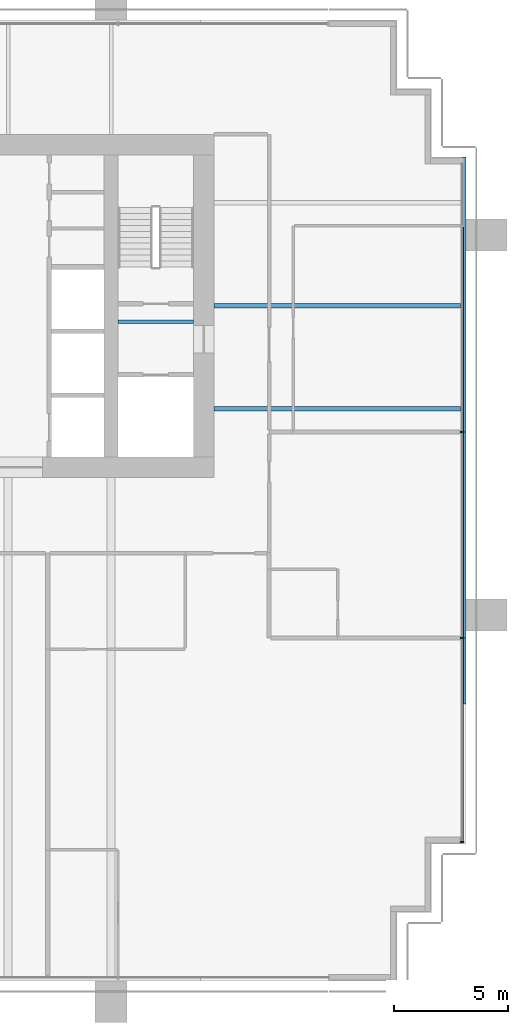
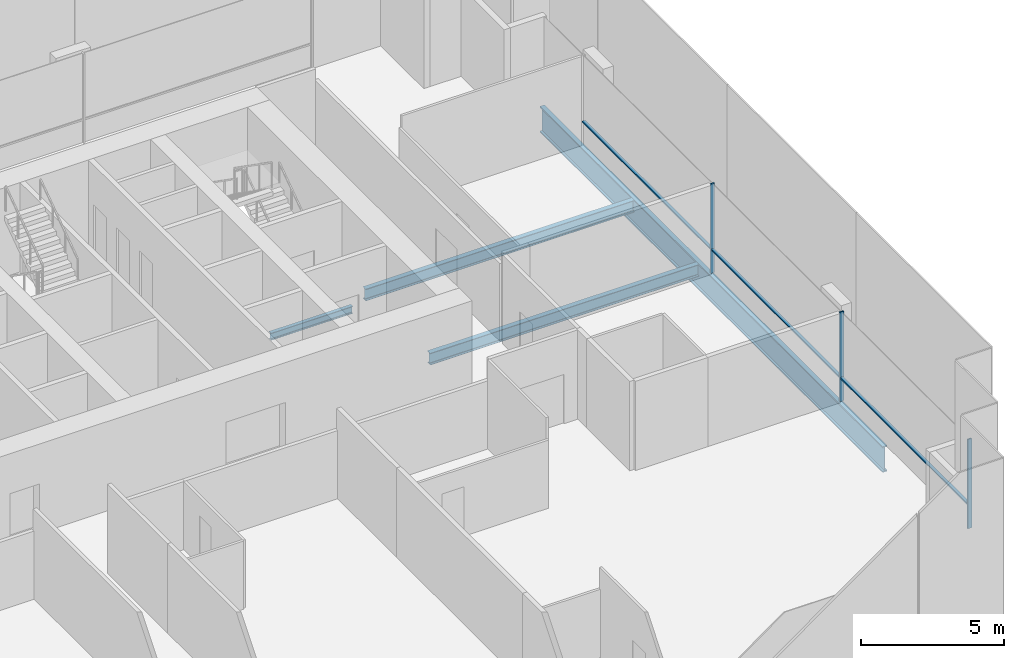
# One storey, part 6 of 16: 6 members, 4 beams, 1 element without a shape of its own.
"""IFC4 building model written with IfcOpenShell, lengths in metres."""

from ifc_helpers import new_model, si_unit, direction, frame, origin, origin_2d, place, context, subcontext, project, spatial, rectangle, i_section, extrude, material, material_profile, profile_set, type_object, element, aggregate, save


model = new_model("IFC4")

# Units and contexts
model_context = context("Model", 3, precision=1e-05, world=origin(), true_north=direction((0.0, 1.0)))
body_context = subcontext(model_context, "Body", "Model", "MODEL_VIEW")
ifc_project = project(units=[si_unit("LENGTHUNIT", "METRE"), si_unit("AREAUNIT", "SQUARE_METRE"), si_unit("VOLUMEUNIT", "CUBIC_METRE"), si_unit("PLANEANGLEUNIT", "RADIAN"), si_unit("MASSUNIT", "GRAM", prefix="KILO")], contexts=[model_context])

# Site, building, storey
site_placement = place(None, origin())
site = spatial("IfcSite", under=ifc_project, at=site_placement, CompositionType="ELEMENT")
building_placement = place(site_placement, origin())
building = spatial("IfcBuilding", under=site, at=building_placement, Name="Rattan Terrace Tower", CompositionType="ELEMENT")
storey_placement = place(building_placement, frame((0.0, 0.0, 150.10009765625)))
storey = spatial("IfcBuildingStorey", under=building, at=storey_placement, Name="L34", CompositionType="ELEMENT", Elevation=150.10009765625)

# Curtain wall, members
ifc_material_1 = material(Name="Aluminium and glass", Category="aluminium")
curtain_wall_type = type_object("IfcCurtainWallType", Name="Facade Unitised Curtain Wall", PredefinedType="NOTDEFINED", material=ifc_material_1)
curtain_wall_placement = place(storey_placement, origin())
curtain_wall = element("IfcCurtainWall", 1, at=curtain_wall_placement, inside=storey, type_object=curtain_wall_type, Name="Curtain wall L34-1", PredefinedType="NOTDEFINED")
ifc_material_2 = material(Name="Aluminium", Category="aluminium")
ifc_material_profile_1 = material_profile(ifc_material_2, rectangle(XDim=0.06005859375, YDim=0.159912109375, at=origin_2d()), Name="Aluminium 60x160")
ifc_profile_set_1 = profile_set([ifc_material_profile_1], Name="Aluminium")
member_type_1 = type_object("IfcMemberType", Name="Facade CW Mullion 60x160", PredefinedType="MULLION", material=ifc_profile_set_1)
member_1_placement = place(storey_placement, frame((28.830078125, -23.425048828125, 0.0), z_axis=(0.0, 0.0, 1.0), x_axis=(0.0, 1.0, 0.0)))
member_1 = element("IfcMember", 2, at=member_1_placement, type_object=member_type_1, Name="Mullion cwl-L34-001.1", PredefinedType="MULLION", context=body_context, shape_type="SweptSolid", body=[
    extrude(rectangle(XDim=0.06005859375, YDim=0.159912109375, at=origin_2d()), origin(), (0.0, 0.0, 1.0), 3.7998046875),
])
member_2_placement = place(storey_placement, frame((28.830078125, -14.5, 0.0), z_axis=(0.0, 0.0, 1.0), x_axis=(0.0, 1.0, 0.0)))
member_2 = element("IfcMember", 3, at=member_2_placement, type_object=member_type_1, Name="Mullion cwl-L34-001.2", PredefinedType="MULLION", context=body_context, shape_type="SweptSolid", body=[
    extrude(rectangle(XDim=0.06005859375, YDim=0.159912109375, at=origin_2d()), origin(), (0.0, 0.0, 1.0), 3.7998046875),
])
member_3_placement = place(storey_placement, frame((28.830078125, -5.5, 0.0), z_axis=(0.0, 0.0, 1.0), x_axis=(0.0, 1.0, 0.0)))
member_3 = element("IfcMember", 4, at=member_3_placement, type_object=member_type_1, Name="Mullion cwl-L34-001.3", PredefinedType="MULLION", context=body_context, shape_type="SweptSolid", body=[
    extrude(rectangle(XDim=0.06005859375, YDim=0.159912109375, at=origin_2d()), origin(), (0.0, 0.0, 1.0), 3.7998046875),
])
ifc_material_3 = material(Name="Aluminium", Category="aluminium")
ifc_material_profile_2 = material_profile(ifc_material_3, rectangle(XDim=0.1201171875, YDim=0.06005859375, at=origin_2d()), Name="Aluminium 120x60")
ifc_profile_set_2 = profile_set([ifc_material_profile_2], Name="Aluminium")
member_type_2 = type_object("IfcMemberType", Name="Facade CW Transom 120x60", PredefinedType="USERDEFINED", material=ifc_profile_set_2)
member_4_placement = place(storey_placement, frame((28.830078125, -23.39501953125, 1.0), z_axis=(0.0, 1.0, 0.0), x_axis=(-1.0, 0.0, 0.0)))
member_4 = element("IfcMember", 5, at=member_4_placement, type_object=member_type_2, Name="Transom cwl-L34-001.1", ObjectType="TRANSOM", PredefinedType="USERDEFINED", context=body_context, shape_type="SweptSolid", body=[
    extrude(rectangle(XDim=0.1201171875, YDim=0.06005859375, at=origin_2d()), origin(), (0.0, 0.0, 1.0), 8.864990234375),
])
member_5_placement = place(storey_placement, frame((28.830078125, -14.469970703125, 1.0), z_axis=(0.0, 1.0, 0.0), x_axis=(-1.0, 0.0, 0.0)))
member_5 = element("IfcMember", 6, at=member_5_placement, type_object=member_type_2, Name="Transom cwl-L34-001.2", ObjectType="TRANSOM", PredefinedType="USERDEFINED", context=body_context, shape_type="SweptSolid", body=[
    extrude(rectangle(XDim=0.1201171875, YDim=0.06005859375, at=origin_2d()), origin(), (0.0, 0.0, 1.0), 8.93994140625),
])
member_6_placement = place(storey_placement, frame((28.830078125, -5.469970703125, 1.0), z_axis=(0.0, 1.0, 0.0), x_axis=(-1.0, 0.0, 0.0)))
member_6 = element("IfcMember", 7, at=member_6_placement, type_object=member_type_2, Name="Transom cwl-L34-001.3", ObjectType="TRANSOM", PredefinedType="USERDEFINED", context=body_context, shape_type="SweptSolid", body=[
    extrude(rectangle(XDim=0.1201171875, YDim=0.06005859375, at=origin_2d()), origin(), (0.0, 0.0, 1.0), 8.93994140625),
])
aggregate(curtain_wall, [member_1, member_2, member_3, member_4, member_5, member_6])

# Beams
ifc_material_4 = material(Name="Steel S460", Category="steel")
ifc_material_profile_3 = material_profile(ifc_material_4, i_section(OverallWidth=0.179931640625, OverallDepth=1.10009765625, WebThickness=0.01611328125, FlangeThickness=0.050048828125, at=origin_2d()), Name="PG 1100x180-16-50")
ifc_profile_set_3 = profile_set([ifc_material_profile_3], Name="Steel S460")
beam_type_1 = type_object("IfcBeamType", Name="Frame edge girder PG 1100x180-16-50", PredefinedType="SPANDREL", material=ifc_profile_set_3)
beam_1_placement = place(storey_placement, frame((28.909912109375, 6.5, -0.75), z_axis=(0.0, -1.0, 0.0), x_axis=(1.0, 0.0, 0.0)))
element("IfcBeam", 8, at=beam_1_placement, inside=storey, type_object=beam_type_1, Name="gdr-L34-004", PredefinedType="SPANDREL", context=body_context, shape_type="SweptSolid", body=[
    extrude(i_section(OverallWidth=0.179931640625, OverallDepth=1.10009765625, WebThickness=0.01611328125, FlangeThickness=0.050048828125, at=origin_2d()), origin(), (0.0, 0.0, 1.0), 23.89990234375),
])
ifc_material_5 = material(Name="Steel S355", Category="steel")
ifc_material_profile_4 = material_profile(ifc_material_5, i_section(OverallWidth=0.14990234375, OverallDepth=0.300048828125, WebThickness=0.007080078125, FlangeThickness=0.0107421875, FilletRadius=0.014892578125, at=origin_2d()), Name="IPE 300")
ifc_profile_set_4 = profile_set([ifc_material_profile_4], Name="Steel S355")
beam_type_2 = type_object("IfcBeamType", Name="Frame floor beam IPE 300", PredefinedType="JOIST", material=ifc_profile_set_4)
beam_2_placement = place(storey_placement, frame((13.800048828125, -0.695068359375, -0.35009765625), z_axis=(1.0, 0.0, 0.0), x_axis=(0.0, 1.0, 0.0)))
element("IfcBeam", 9, at=beam_2_placement, inside=storey, type_object=beam_type_2, Name="bm-L34-002", PredefinedType="JOIST", context=body_context, shape_type="SweptSolid", body=[
    extrude(i_section(OverallWidth=0.14990234375, OverallDepth=0.300048828125, WebThickness=0.007080078125, FlangeThickness=0.0107421875, FilletRadius=0.014892578125, at=origin_2d()), origin(), (0.0, 0.0, 1.0), 3.300048828125),
])
ifc_material_6 = material(Name="Steel S355", Category="steel")
ifc_material_profile_5 = material_profile(ifc_material_6, i_section(OverallWidth=0.199951171875, OverallDepth=0.5, WebThickness=0.01025390625, FlangeThickness=0.01611328125, FilletRadius=0.02099609375, at=origin_2d()), Name="IPE 500")
ifc_profile_set_5 = profile_set([ifc_material_profile_5], Name="Steel S355")
beam_type_3 = type_object("IfcBeamType", Name="Frame floor beam IPE 500", PredefinedType="JOIST", material=ifc_profile_set_5)
for number, where, z_axis, x_axis, name in (
    (10, (18.0, -4.5, -0.4501953125), (1.0, 0.0, 0.0), (0.0, 1.0, 0.0), "bm-L34-011"),
    (11, (18.0, 0.0, -0.4501953125), (1.0, 0.0, 0.0), (0.0, 1.0, 0.0), "bm-L34-013"),
):
    element("IfcBeam", number, at=place(storey_placement, frame(where, z_axis=z_axis, x_axis=x_axis)), inside=storey, type_object=beam_type_3, Name=name, PredefinedType="JOIST", context=body_context, shape_type="SweptSolid", body=[
        extrude(i_section(OverallWidth=0.199951171875, OverallDepth=0.5, WebThickness=0.01025390625, FlangeThickness=0.01611328125, FilletRadius=0.02099609375, at=origin_2d()), origin(), (0.0, 0.0, 1.0), 10.820068359375),
    ])

save(model, "model.ifc")
